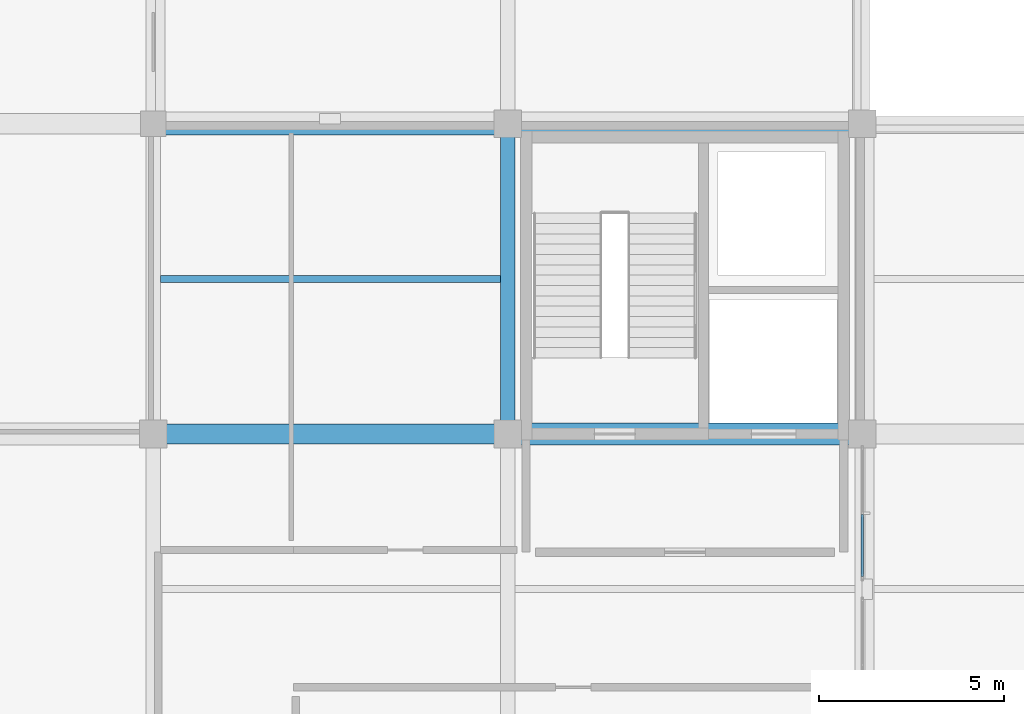
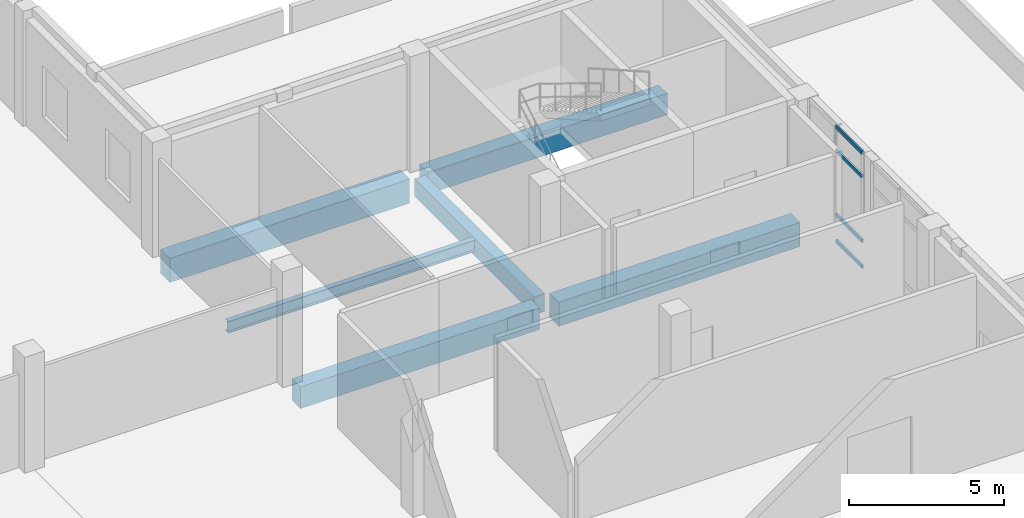
# One storey, part 58 of 88: 6 beams, 4 members, 1 element without a shape of its own.
"""IFC4 building model written with IfcOpenShell, lengths in metres."""

from ifc_helpers import new_model, si_unit, direction, frame, origin, origin_2d, place, context, subcontext, project, spatial, rectangle, hollow_rectangle, i_section, extrude, material, layer, layer_set, material_profile, profile_set, type_object, element, aggregate, save


model = new_model("IFC4")

# Units and contexts
model_context = context("Model", 3, precision=1e-05, world=origin(), true_north=direction((0.0, 1.0)))
body_context = subcontext(model_context, "Body", "Model", "MODEL_VIEW")
ifc_project = project(units=[si_unit("LENGTHUNIT", "METRE"), si_unit("AREAUNIT", "SQUARE_METRE"), si_unit("VOLUMEUNIT", "CUBIC_METRE"), si_unit("PLANEANGLEUNIT", "RADIAN"), si_unit("MASSUNIT", "GRAM", prefix="KILO")], contexts=[model_context])

# Site, building, storey
site_placement = place(None, origin())
site = spatial("IfcSite", under=ifc_project, at=site_placement, CompositionType="ELEMENT")
building_placement = place(site_placement, origin())
building = spatial("IfcBuilding", under=site, at=building_placement, Name="Lornevale Opera House", CompositionType="ELEMENT")
storey_placement = place(building_placement, frame((0.0, 0.0, 10.199951171875)))
storey = spatial("IfcBuildingStorey", under=building, at=storey_placement, Name="L03", CompositionType="ELEMENT", Elevation=10.199951171875)

# Beams
ifc_material_1 = material(Name="Concrete 35 MPa (CSA A23.1 N)", Category="concrete")
ifc_material_profile_1 = material_profile(ifc_material_1, rectangle(XDim=0.39990234375, YDim=0.699951171875, at=origin_2d()), Name="RC400x700")
ifc_profile_set_1 = profile_set([ifc_material_profile_1], Name="Concrete 35 MPa (CSA A23.1 N)")
beam_type_1 = type_object("IfcBeamType", Name="Concrete Floor Beam 400x700", PredefinedType="USERDEFINED", material=ifc_profile_set_1)
beam_1_placement = place(storey_placement, frame((134.39990234375, 67.550048828125, -0.639892578125), z_axis=(0.0, 1.0, 0.0), x_axis=(-1.0, 0.0, 0.0)))
element("IfcBeam", 1, at=beam_1_placement, inside=storey, type_object=beam_type_1, Name="Concrete Floor Beam 400x700 2348", ObjectType="GIRDER", PredefinedType="USERDEFINED", context=body_context, shape_type="SweptSolid", body=[
    extrude(rectangle(XDim=0.39990234375, YDim=0.699951171875, at=origin_2d()), origin(), (0.0, 0.0, 1.0), 7.699951171875),
])
ifc_material_profile_2 = material_profile(ifc_material_1, rectangle(XDim=0.550048828125, YDim=0.85009765625, at=origin_2d()), Name="RC550x850")
ifc_profile_set_2 = profile_set([ifc_material_profile_2], Name="Concrete 35 MPa (CSA A23.1 N)")
beam_type_2 = type_object("IfcBeamType", Name="Concrete Primary Girder 550x850", PredefinedType="USERDEFINED", material=ifc_profile_set_2)
beam_2_placement = place(storey_placement, frame((125.14990234375, 67.199951171875, -0.704833984375), z_axis=(1.0, 0.0, 0.0), x_axis=(0.0, 1.0, 0.0)))
element("IfcBeam", 2, at=beam_2_placement, inside=storey, type_object=beam_type_2, Name="Concrete Primary Girder 550x850 2175", ObjectType="GIRDER", PredefinedType="USERDEFINED", context=body_context, shape_type="SweptSolid", body=[
    extrude(rectangle(XDim=0.550048828125, YDim=0.85009765625, at=origin_2d()), origin(), (0.0, 0.0, 1.0), 8.900146484375),
])
beam_3_placement = place(storey_placement, frame((134.75, 75.60009765625, -0.71484375), z_axis=(1.0, 0.0, 0.0), x_axis=(0.0, 1.0, 0.0)))
element("IfcBeam", 3, at=beam_3_placement, inside=storey, type_object=beam_type_2, Name="Concrete Primary Girder 550x850 2187", ObjectType="GIRDER", PredefinedType="USERDEFINED", context=body_context, shape_type="SweptSolid", body=[
    extrude(rectangle(XDim=0.550048828125, YDim=0.85009765625, at=origin_2d()), origin(), (0.0, 0.0, 1.0), 8.89990234375),
])
ifc_material_profile_3 = material_profile(ifc_material_1, rectangle(XDim=0.60009765625, YDim=0.949951171875, at=origin_2d()), Name="RC600x950")
ifc_profile_set_3 = profile_set([ifc_material_profile_3], Name="Concrete 35 MPa (CSA A23.1 N)")
beam_type_3 = type_object("IfcBeamType", Name="Concrete Primary Girder 600x950", PredefinedType="USERDEFINED", material=ifc_profile_set_3)
beam_4_placement = place(storey_placement, frame((134.75, 67.199951171875, -0.764892578125), z_axis=(1.0, 0.0, 0.0), x_axis=(0.0, 1.0, 0.0)))
element("IfcBeam", 4, at=beam_4_placement, inside=storey, type_object=beam_type_3, Name="Concrete Primary Girder 600x950 2176", ObjectType="GIRDER", PredefinedType="USERDEFINED", context=body_context, shape_type="SweptSolid", body=[
    extrude(rectangle(XDim=0.60009765625, YDim=0.949951171875, at=origin_2d()), origin(), (0.0, 0.0, 1.0), 8.97509765625),
])
beam_5_placement = place(storey_placement, frame((125.125, 75.60009765625, -0.764892578125), z_axis=(1.0, 0.0, 0.0), x_axis=(0.0, 1.0, 0.0)))
element("IfcBeam", 5, at=beam_5_placement, inside=storey, type_object=beam_type_3, Name="Concrete Primary Girder 600x950 2186", ObjectType="GIRDER", PredefinedType="USERDEFINED", context=body_context, shape_type="SweptSolid", body=[
    extrude(rectangle(XDim=0.60009765625, YDim=0.949951171875, at=origin_2d()), origin(), (0.0, 0.0, 1.0), 8.925048828125),
])

# Curtain wall, members
ifc_material_2 = material(Name="Anodized Oxide-Green Aluminium Framing", Category="aluminium")
ifc_layer = layer(ifc_material_2, 0.179931640625)
ifc_layer_set = layer_set([ifc_layer], Name="Anodized Oxide-Green Aluminium Framing")
curtain_wall_type = type_object("IfcCurtainWallType", Name="Promenade Gallery Curtain Wall M1800", PredefinedType="NOTDEFINED", material=ifc_layer_set)
curtain_wall_placement = place(storey_placement, origin())
curtain_wall = element("IfcCurtainWall", 6, at=curtain_wall_placement, inside=storey, type_object=curtain_wall_type, Name="Promenade Gallery Curtain Wall M1800 CW-147", PredefinedType="NOTDEFINED")
ifc_material_profile_4 = material_profile(ifc_material_2, hollow_rectangle(XDim=0.06494140625, YDim=0.135009765625, WallThickness=0.00390625, at=origin_2d()), Name="ALU65x135x4")
ifc_profile_set_4 = profile_set([ifc_material_profile_4], Name="Anodized Oxide-Green Aluminium Framing")
member_type = type_object("IfcMemberType", Name="Curtain Wall Transom 65x135", PredefinedType="USERDEFINED", material=ifc_profile_set_4)
member_1_placement = place(storey_placement, frame((144.0, 65.02197265625, 0.032470703125), z_axis=(0.0, -1.0, 0.0), x_axis=(1.0, 0.0, 0.0)))
member_1 = element("IfcMember", 7, at=member_1_placement, type_object=member_type, Name="Curtain Wall Transom 65x135 CW3061", ObjectType="TRANSOM", PredefinedType="USERDEFINED", context=body_context, shape_type="SweptSolid", body=[
    extrude(hollow_rectangle(XDim=0.06494140625, YDim=0.135009765625, WallThickness=0.00390625, at=origin_2d()), origin(), (0.0, 0.0, 1.0), 1.677001953125),
])
member_2_placement = place(storey_placement, frame((144.0, 65.02197265625, 1.050048828125), z_axis=(0.0, -1.0, 0.0), x_axis=(1.0, 0.0, 0.0)))
member_2 = element("IfcMember", 8, at=member_2_placement, type_object=member_type, Name="Curtain Wall Transom 65x135 CW3062", ObjectType="TRANSOM", PredefinedType="USERDEFINED", context=body_context, shape_type="SweptSolid", body=[
    extrude(hollow_rectangle(XDim=0.06494140625, YDim=0.135009765625, WallThickness=0.00390625, at=origin_2d()), origin(), (0.0, 0.0, 1.0), 1.677001953125),
])
member_3_placement = place(storey_placement, frame((144.0, 65.02197265625, 3.590087890625), z_axis=(0.0, -1.0, 0.0), x_axis=(1.0, 0.0, 0.0)))
member_3 = element("IfcMember", 9, at=member_3_placement, type_object=member_type, Name="Curtain Wall Transom 65x135 CW3063", ObjectType="TRANSOM", PredefinedType="USERDEFINED", context=body_context, shape_type="SweptSolid", body=[
    extrude(hollow_rectangle(XDim=0.06494140625, YDim=0.135009765625, WallThickness=0.00390625, at=origin_2d()), origin(), (0.0, 0.0, 1.0), 1.677001953125),
])
member_4_placement = place(storey_placement, frame((144.0, 65.02197265625, 4.507568359375), z_axis=(0.0, -1.0, 0.0), x_axis=(1.0, 0.0, 0.0)))
member_4 = element("IfcMember", 10, at=member_4_placement, type_object=member_type, Name="Curtain Wall Transom 65x135 CW3064", ObjectType="TRANSOM", PredefinedType="USERDEFINED", context=body_context, shape_type="SweptSolid", body=[
    extrude(hollow_rectangle(XDim=0.06494140625, YDim=0.135009765625, WallThickness=0.00390625, at=origin_2d()), origin(), (0.0, 0.0, 1.0), 1.677001953125),
])
aggregate(curtain_wall, [member_1, member_2, member_3, member_4])

# Beam
ifc_material_3 = material(Name="Structural Steel CSA G40.21 Grade 350W (350 MPa)", Category="steel")
ifc_material_profile_5 = material_profile(ifc_material_3, i_section(OverallWidth=0.19189453125, OverallDepth=0.462890625, WebThickness=0.010498046875, FlangeThickness=0.017578125, at=origin_2d()), Name="W460x89")
ifc_profile_set_5 = profile_set([ifc_material_profile_5], Name="Structural Steel CSA G40.21 Grade 350W (350 MPa)")
beam_type_4 = type_object("IfcBeamType", Name="Steel Floor Joist W460x89", PredefinedType="JOIST", material=ifc_profile_set_5)
beam_6_placement = place(storey_placement, frame((125.0, 71.39990234375, -0.536376953125), z_axis=(1.0, 0.0, 0.0), x_axis=(0.0, 1.0, 0.0)))
element("IfcBeam", 11, at=beam_6_placement, inside=storey, type_object=beam_type_4, Name="Steel Floor Joist W460x89 2443", PredefinedType="JOIST", context=body_context, shape_type="SweptSolid", body=[
    extrude(i_section(OverallWidth=0.19189453125, OverallDepth=0.462890625, WebThickness=0.010498046875, FlangeThickness=0.017578125, at=origin_2d()), origin(), (0.0, 0.0, 1.0), 9.199951171875),
])

save(model, "model.ifc")
